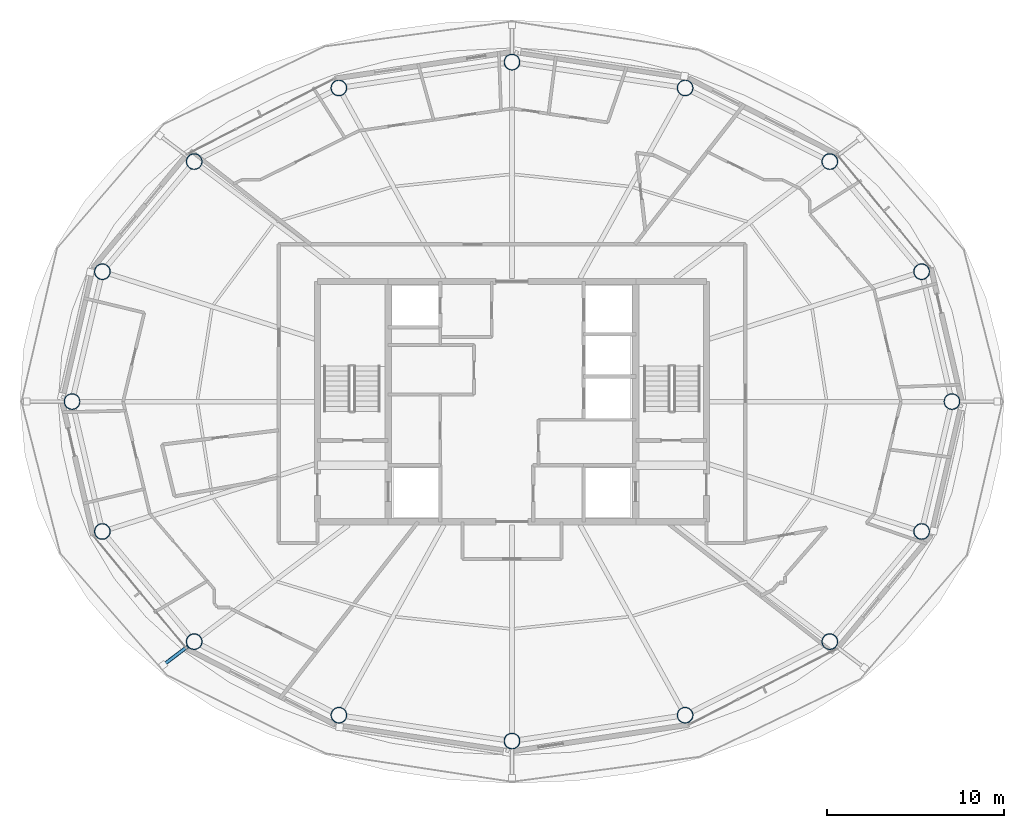
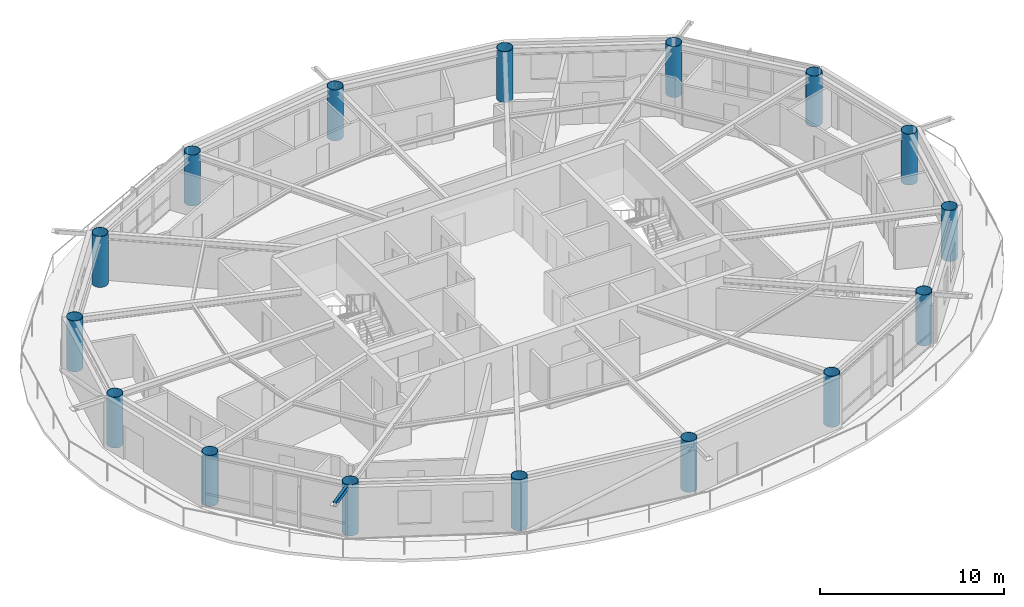
# One storey, part 1 of 22: 16 columns, 1 member.
"""IFC4 building model written with IfcOpenShell, lengths in metres."""

from ifc_helpers import new_model, si_unit, direction, frame, origin, origin_2d, place, context, subcontext, project, spatial, hollow_rectangle, hollow_circle, extrude, material, material_profile, profile_set, type_object, element, save


model = new_model("IFC4")

# Units and contexts
model_context = context("Model", 3, precision=1e-05, world=origin(), true_north=direction((0.0, 1.0)))
body_context = subcontext(model_context, "Body", "Model", "MODEL_VIEW")
ifc_project = project(units=[si_unit("LENGTHUNIT", "METRE"), si_unit("AREAUNIT", "SQUARE_METRE"), si_unit("VOLUMEUNIT", "CUBIC_METRE"), si_unit("PLANEANGLEUNIT", "RADIAN"), si_unit("MASSUNIT", "GRAM", prefix="KILO")], contexts=[model_context])

# Site, building, storey
site_placement = place(None, origin())
site = spatial("IfcSite", under=ifc_project, at=site_placement, CompositionType="ELEMENT")
building_placement = place(site_placement, origin())
building = spatial("IfcBuilding", under=site, at=building_placement, Name="Sarneth Arch Tower", CompositionType="ELEMENT")
storey_placement = place(building_placement, frame((0.0, 0.0, 301.800048828125)))
storey = spatial("IfcBuildingStorey", under=building, at=storey_placement, Name="L78", CompositionType="ELEMENT", Elevation=301.800048828125)

# Columns
ifc_material_1 = material(Name="Steel S355", Category="steel")
ifc_material_profile_1 = material_profile(ifc_material_1, hollow_circle(Radius=0.449951171875, WallThickness=0.02490234375, at=origin_2d()), Name="CHS900x25")
ifc_profile_set_1 = profile_set([ifc_material_profile_1], Name="Steel S355")
column_type = type_object("IfcColumnType", Name="COL-MEGA-900", PredefinedType="COLUMN", material=ifc_profile_set_1)
for number, where, z_axis, x_axis, name in (
    (1, (72.88330078125, 42.0, 0.0), (0.0, 0.0, 1.0), (1.0, 0.0, 0.0), "L78 Perimeter mega-column M01"),
    (2, (71.1689453125, 49.347412109375, 0.0), (0.0, 0.0, 1.0), (1.0, 0.0, 0.0), "L78 Perimeter mega-column M02"),
    (3, (65.975341796875, 55.576416015625, 0.0), (0.0, 0.0, 1.0), (1.0, 0.0, 0.0), "L78 Perimeter mega-column M03"),
    (4, (57.790771484375, 59.738525390625, 0.0), (0.0, 0.0, 1.0), (1.0, 0.0, 0.0), "L78 Perimeter mega-column M04"),
    (5, (48.0, 61.199951171875, 0.0), (0.0, 0.0, 1.0), (1.0, 0.0, 0.0), "L78 Perimeter mega-column M05"),
    (6, (38.209228515625, 59.738525390625, 0.0), (0.0, 0.0, 1.0), (1.0, 0.0, 0.0), "L78 Perimeter mega-column M06"),
    (7, (30.024658203125, 55.576416015625, 0.0), (0.0, 0.0, 1.0), (1.0, 0.0, 0.0), "L78 Perimeter mega-column M07"),
    (8, (24.8310546875, 49.347412109375, 0.0), (0.0, 0.0, 1.0), (1.0, 0.0, 0.0), "L78 Perimeter mega-column M08"),
    (9, (23.11669921875, 42.0, 0.0), (0.0, 0.0, 1.0), (1.0, 0.0, 0.0), "L78 Perimeter mega-column M09"),
    (10, (24.8310546875, 34.652587890625, 0.0), (0.0, 0.0, 1.0), (1.0, 0.0, 0.0), "L78 Perimeter mega-column M10"),
    (11, (30.024658203125, 28.423583984375, 0.0), (0.0, 0.0, 1.0), (1.0, 0.0, 0.0), "L78 Perimeter mega-column M11"),
    (12, (38.209228515625, 24.261474609375, 0.0), (0.0, 0.0, 1.0), (1.0, 0.0, 0.0), "L78 Perimeter mega-column M12"),
    (13, (48.0, 22.800048828125, 0.0), (0.0, 0.0, 1.0), (1.0, 0.0, 0.0), "L78 Perimeter mega-column M13"),
    (14, (57.790771484375, 24.261474609375, 0.0), (0.0, 0.0, 1.0), (1.0, 0.0, 0.0), "L78 Perimeter mega-column M14"),
    (15, (65.975341796875, 28.423583984375, 0.0), (0.0, 0.0, 1.0), (1.0, 0.0, 0.0), "L78 Perimeter mega-column M15"),
    (16, (71.1689453125, 34.652587890625, 0.0), (0.0, 0.0, 1.0), (1.0, 0.0, 0.0), "L78 Perimeter mega-column M16"),
):
    element("IfcColumn", number, at=place(storey_placement, frame(where, z_axis=z_axis, x_axis=x_axis)), inside=storey, type_object=column_type, Name=name, PredefinedType="COLUMN", context=body_context, shape_type="SweptSolid", body=[
        extrude(hollow_circle(Radius=0.449951171875, WallThickness=0.02490234375, at=origin_2d()), origin(), (0.0, 0.0, 1.0), 3.369873046875),
    ])

# Member
ifc_material_2 = material(Name="Steel S355", Category="steel")
ifc_material_profile_2 = material_profile(ifc_material_2, hollow_rectangle(XDim=0.199951171875, YDim=0.300048828125, WallThickness=0.012451171875, InnerFilletRadius=0.018798828125, OuterFilletRadius=0.03125, at=origin_2d()), Name="RHS300x200x12.5")
ifc_profile_set_2 = profile_set([ifc_material_profile_2], Name="Steel S355")
member_type = type_object("IfcMemberType", Name="MEM-CANT-STRUT", PredefinedType="STRUT", material=ifc_profile_set_2)
member_placement = place(storey_placement, frame((29.665771484375, 28.15234375, 3.2099609375), z_axis=(-0.797998825085, -0.60265900405, 0.0), x_axis=(0.60265900405, -0.797998825085, 0.0)))
element("IfcMember", 17, at=member_placement, inside=storey, type_object=member_type, Name="L78 Balcony cantilever bracket 11", PredefinedType="STRUT", context=body_context, shape_type="SweptSolid", body=[
    extrude(hollow_rectangle(XDim=0.199951171875, YDim=0.300048828125, WallThickness=0.012451171875, InnerFilletRadius=0.018798828125, OuterFilletRadius=0.03125, at=origin_2d()), origin(), (0.0, 0.0, 1.0), 1.74609375),
])

save(model, "model.ifc")
